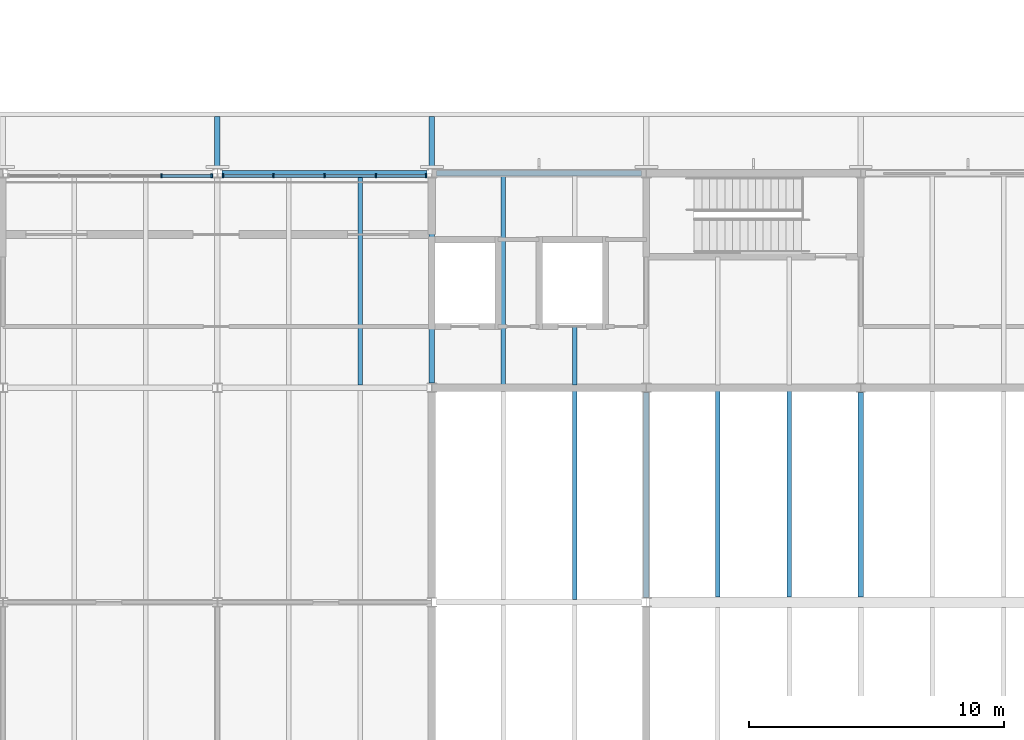
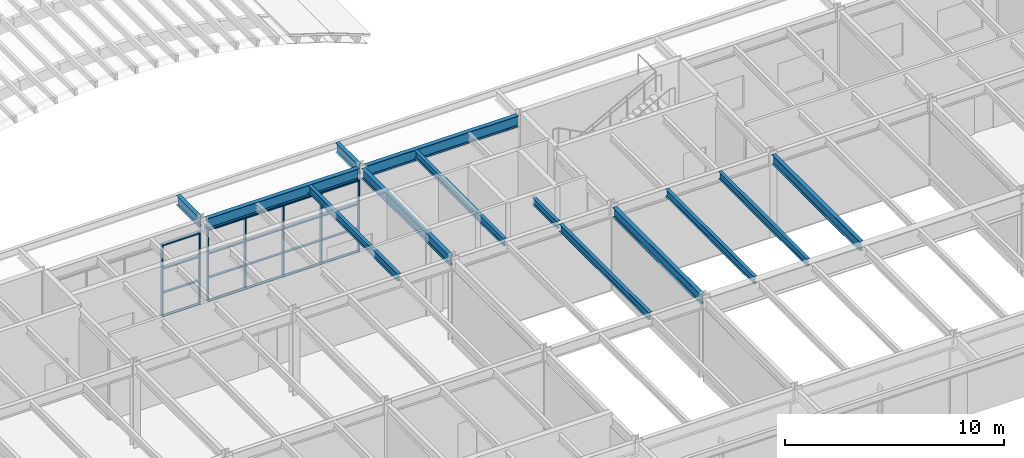
# One storey, part 52 of 116: 27 members, 13 beams, 2 elements without a shape of their own.
"""IFC4 building model written with IfcOpenShell, lengths in metres."""

from ifc_helpers import new_model, si_unit, direction, frame, origin, origin_2d, place, context, subcontext, project, spatial, rectangle, i_section, extrude, material, material_profile, profile_set, type_object, element, aggregate, save


model = new_model("IFC4")

# Units and contexts
model_context = context("Model", 3, precision=1e-05, world=origin(), true_north=direction((0.0, 1.0)))
body_context = subcontext(model_context, "Body", "Model", "MODEL_VIEW")
ifc_project = project(units=[si_unit("LENGTHUNIT", "METRE"), si_unit("AREAUNIT", "SQUARE_METRE"), si_unit("VOLUMEUNIT", "CUBIC_METRE"), si_unit("PLANEANGLEUNIT", "RADIAN"), si_unit("MASSUNIT", "GRAM", prefix="KILO")], contexts=[model_context])

# Site, building, storey
site_placement = place(None, origin())
site = spatial("IfcSite", under=ifc_project, at=site_placement, CompositionType="ELEMENT")
building_placement = place(site_placement, origin())
building = spatial("IfcBuilding", under=site, at=building_placement, Name="Ljudholm Concert House", CompositionType="ELEMENT")
storey_placement = place(building_placement, frame((0.0, 0.0, 10.199951171875)))
storey = spatial("IfcBuildingStorey", under=building, at=storey_placement, Name="L02", CompositionType="ELEMENT", Elevation=10.199951171875)

# Curtain wall, members
ifc_material_1 = material(Name="Aluminium curtain wall with fixed aluminium storm louvre blades, timber-grain finish", Category="aluminium")
curtain_wall_type = type_object("IfcCurtainWallType", Name="CURTAIN WALL 2000", PredefinedType="NOTDEFINED", material=ifc_material_1)
curtain_wall_1_placement = place(storey_placement, origin())
curtain_wall_1 = element("IfcCurtainWall", 1, at=curtain_wall_1_placement, inside=storey, type_object=curtain_wall_type, Name="Storm louvre screen", PredefinedType="NOTDEFINED")
ifc_material_2 = material(Name="Aluminium extrusion", Category="aluminium")
ifc_material_profile_1 = material_profile(ifc_material_2, rectangle(XDim=0.159912109375, YDim=0.06005859375, at=origin_2d()), Name="MULLION 60x160")
ifc_profile_set_1 = profile_set([ifc_material_profile_1], Name="Aluminium extrusion")
member_type_1 = type_object("IfcMemberType", Name="MULLION 60x160", PredefinedType="MULLION", material=ifc_profile_set_1)
member_1_placement = place(storey_placement, frame((69.0048828125, 129.89990234375, 0.0), z_axis=(0.0, 0.0, 1.0), x_axis=(0.0, 1.0, 0.0)))
member_1 = element("IfcMember", 2, at=member_1_placement, type_object=member_type_1, Name="Mullion", PredefinedType="MULLION", context=body_context, shape_type="SweptSolid", body=[
    extrude(rectangle(XDim=0.159912109375, YDim=0.06005859375, at=origin_2d()), origin(), (0.0, 0.0, 1.0), 4.0078125),
])
member_2_placement = place(storey_placement, frame((70.97998046875, 129.89990234375, 0.0), z_axis=(0.0, 0.0, 1.0), x_axis=(0.0, 1.0, 0.0)))
member_2 = element("IfcMember", 3, at=member_2_placement, type_object=member_type_1, Name="Mullion", PredefinedType="MULLION", context=body_context, shape_type="SweptSolid", body=[
    extrude(rectangle(XDim=0.159912109375, YDim=0.06005859375, at=origin_2d()), origin(), (0.0, 0.0, 1.0), 4.0078125),
])

curtain_wall_2_placement = place(storey_placement, origin())
curtain_wall_2 = element("IfcCurtainWall", 4, at=curtain_wall_2_placement, inside=storey, type_object=curtain_wall_type, Name="Storm louvre screen", PredefinedType="NOTDEFINED")
member_3_placement = place(storey_placement, frame((71.419921875, 129.89990234375, 0.0), z_axis=(0.0, 0.0, 1.0), x_axis=(0.0, 1.0, 0.0)))
member_3 = element("IfcMember", 5, at=member_3_placement, type_object=member_type_1, Name="Mullion", PredefinedType="MULLION", context=body_context, shape_type="SweptSolid", body=[
    extrude(rectangle(XDim=0.159912109375, YDim=0.06005859375, at=origin_2d()), origin(), (0.0, 0.0, 1.0), 4.0078125),
])
member_4_placement = place(storey_placement, frame((73.39501953125, 129.89990234375, 0.0), z_axis=(0.0, 0.0, 1.0), x_axis=(0.0, 1.0, 0.0)))
member_4 = element("IfcMember", 6, at=member_4_placement, type_object=member_type_1, Name="Mullion", PredefinedType="MULLION", context=body_context, shape_type="SweptSolid", body=[
    extrude(rectangle(XDim=0.159912109375, YDim=0.06005859375, at=origin_2d()), origin(), (0.0, 0.0, 1.0), 4.0078125),
])
member_5_placement = place(storey_placement, frame((75.39990234375, 129.89990234375, 0.0), z_axis=(0.0, 0.0, 1.0), x_axis=(0.0, 1.0, 0.0)))
member_5 = element("IfcMember", 7, at=member_5_placement, type_object=member_type_1, Name="Mullion", PredefinedType="MULLION", context=body_context, shape_type="SweptSolid", body=[
    extrude(rectangle(XDim=0.159912109375, YDim=0.06005859375, at=origin_2d()), origin(), (0.0, 0.0, 1.0), 4.0078125),
])
member_6_placement = place(storey_placement, frame((77.405029296875, 129.89990234375, 0.0), z_axis=(0.0, 0.0, 1.0), x_axis=(0.0, 1.0, 0.0)))
member_6 = element("IfcMember", 8, at=member_6_placement, type_object=member_type_1, Name="Mullion", PredefinedType="MULLION", context=body_context, shape_type="SweptSolid", body=[
    extrude(rectangle(XDim=0.159912109375, YDim=0.06005859375, at=origin_2d()), origin(), (0.0, 0.0, 1.0), 4.0078125),
])
member_7_placement = place(storey_placement, frame((79.3798828125, 129.89990234375, 0.0), z_axis=(0.0, 0.0, 1.0), x_axis=(0.0, 1.0, 0.0)))
member_7 = element("IfcMember", 9, at=member_7_placement, type_object=member_type_1, Name="Mullion", PredefinedType="MULLION", context=body_context, shape_type="SweptSolid", body=[
    extrude(rectangle(XDim=0.159912109375, YDim=0.06005859375, at=origin_2d()), origin(), (0.0, 0.0, 1.0), 4.0078125),
])

# Beams
ifc_material_3 = material(Name="Steel ASTM A992", Category="steel")
ifc_material_profile_2 = material_profile(ifc_material_3, i_section(OverallWidth=0.177734375, OverallDepth=0.406494140625, WebThickness=0.0078125, FlangeThickness=0.012939453125, FilletRadius=0.01025390625, at=origin_2d()), Name="W16X40")
ifc_profile_set_2 = profile_set([ifc_material_profile_2], Name="Steel ASTM A992")
beam_type_1 = type_object("IfcBeamType", Name="STEEL BEAM W16X40", PredefinedType="BEAM", material=ifc_profile_set_2)
for number, where, z_axis, x_axis, name in (
    (10, (76.800048828125, 121.714599609375, 4.416748046875), (0.0, 1.0, 0.0), (-1.0, 0.0, 0.0), "Beam STUDIO-ROOF-sb-76.8-121.6"),
    (11, (85.199951171875, 113.314453125, 4.416748046875), (0.0, 1.0, 0.0), (-1.0, 0.0, 0.0), "Beam STUDIO-ROOF-sb-85.2-113.2"),
    (12, (82.39990234375, 121.714599609375, 4.416748046875), (0.0, 1.0, 0.0), (-1.0, 0.0, 0.0), "Beam STUDIO-ROOF-sb-82.4-121.6"),
):
    element("IfcBeam", number, at=place(storey_placement, frame(where, z_axis=z_axis, x_axis=x_axis)), inside=storey, type_object=beam_type_1, Name=name, PredefinedType="BEAM", context=body_context, shape_type="SweptSolid", body=[
        extrude(i_section(OverallWidth=0.177734375, OverallDepth=0.406494140625, WebThickness=0.0078125, FlangeThickness=0.012939453125, FilletRadius=0.01025390625, at=origin_2d()), origin(), (0.0, 0.0, 1.0), 8.1708984375),
    ])
beam_1_placement = place(storey_placement, frame((85.199951171875, 121.714599609375, 4.416748046875), z_axis=(0.0, 1.0, 0.0), x_axis=(-1.0, 0.0, 0.0)))
element("IfcBeam", 13, at=beam_1_placement, inside=storey, type_object=beam_type_1, Name="Beam STUDIO-ROOF-sb-85.2-121.6-1", PredefinedType="BEAM", context=body_context, shape_type="SweptSolid", body=[
    extrude(i_section(OverallWidth=0.177734375, OverallDepth=0.406494140625, WebThickness=0.0078125, FlangeThickness=0.012939453125, FilletRadius=0.01025390625, at=origin_2d()), origin(), (0.0, 0.0, 1.0), 2.285400390625),
])
for number, where, z_axis, x_axis, name in (
    (14, (90.800048828125, 113.40185546875, 4.416748046875), (0.0, 1.0, 0.0), (-1.0, 0.0, 0.0), "Beam STUDIO-ROOF-sb-90.8-113.2"),
    (15, (93.60009765625, 113.40185546875, 4.416748046875), (0.0, 1.0, 0.0), (-1.0, 0.0, 0.0), "Beam STUDIO-ROOF-sb-93.6-113.2"),
):
    element("IfcBeam", number, at=place(storey_placement, frame(where, z_axis=z_axis, x_axis=x_axis)), inside=storey, type_object=beam_type_1, Name=name, PredefinedType="BEAM", context=body_context, shape_type="SweptSolid", body=[
        extrude(i_section(OverallWidth=0.177734375, OverallDepth=0.406494140625, WebThickness=0.0078125, FlangeThickness=0.012939453125, FilletRadius=0.01025390625, at=origin_2d()), origin(), (0.0, 0.0, 1.0), 8.08349609375),
    ])
ifc_material_4 = material(Name="Steel ASTM A992", Category="steel")
ifc_material_profile_3 = material_profile(ifc_material_4, i_section(OverallWidth=0.209228515625, OverallDepth=0.533447265625, WebThickness=0.01025390625, FlangeThickness=0.015625, FilletRadius=0.012939453125, at=origin_2d()), Name="W21X62")
ifc_profile_set_3 = profile_set([ifc_material_profile_3], Name="Steel ASTM A992")
beam_type_2 = type_object("IfcBeamType", Name="STEEL BEAM W21X62", PredefinedType="BEAM", material=ifc_profile_set_3)
for number, where, z_axis, x_axis, name in (
    (16, (79.60009765625, 121.77783203125, 4.353271484375), (0.0, 1.0, 0.0), (-1.0, 0.0, 0.0), "Beam STUDIO-ROOF-gy-79.6-121.6"),
    (17, (88.0, 113.377685546875, 4.353271484375), (0.0, 1.0, 0.0), (-1.0, 0.0, 0.0), "Beam STUDIO-ROOF-gy-88-113.2"),
):
    element("IfcBeam", number, at=place(storey_placement, frame(where, z_axis=z_axis, x_axis=x_axis)), inside=storey, type_object=beam_type_2, Name=name, PredefinedType="BEAM", context=body_context, shape_type="SweptSolid", body=[
        extrude(i_section(OverallWidth=0.209228515625, OverallDepth=0.533447265625, WebThickness=0.01025390625, FlangeThickness=0.015625, FilletRadius=0.012939453125, at=origin_2d()), origin(), (0.0, 0.0, 1.0), 8.04443359375),
    ])
beam_2_placement = place(storey_placement, frame((96.39990234375, 113.40185546875, 4.353271484375), z_axis=(0.0, 1.0, 0.0), x_axis=(-1.0, 0.0, 0.0)))
element("IfcBeam", 18, at=beam_2_placement, inside=storey, type_object=beam_type_2, Name="Beam STUDIO-ROOF-gy-96.4-113.2", PredefinedType="BEAM", context=body_context, shape_type="SweptSolid", body=[
    extrude(i_section(OverallWidth=0.209228515625, OverallDepth=0.533447265625, WebThickness=0.01025390625, FlangeThickness=0.015625, FilletRadius=0.012939453125, at=origin_2d()), origin(), (0.0, 0.0, 1.0), 8.020263671875),
])
for number, where, z_axis, x_axis, name in (
    (19, (71.199951171875, 130.177734375, 4.353271484375), (0.0, 1.0, 0.0), (-1.0, 0.0, 0.0), "Beam STUDIO-ROOF-eave-gN-71.2"),
    (20, (79.60009765625, 130.177734375, 4.353271484375), (0.0, 1.0, 0.0), (-1.0, 0.0, 0.0), "Beam STUDIO-ROOF-eave-gN-79.6"),
):
    element("IfcBeam", number, at=place(storey_placement, frame(where, z_axis=z_axis, x_axis=x_axis)), inside=storey, type_object=beam_type_2, Name=name, PredefinedType="BEAM", context=body_context, shape_type="SweptSolid", body=[
        extrude(i_section(OverallWidth=0.209228515625, OverallDepth=0.533447265625, WebThickness=0.01025390625, FlangeThickness=0.015625, FilletRadius=0.012939453125, at=origin_2d()), origin(), (0.0, 0.0, 1.0), 2.04443359375),
    ])
ifc_material_5 = material(Name="Steel ASTM A992", Category="steel")
ifc_material_profile_4 = material_profile(ifc_material_5, i_section(OverallWidth=0.22900390625, OverallDepth=0.612060546875, WebThickness=0.011962890625, FlangeThickness=0.01953125, FilletRadius=0.0126953125, at=origin_2d()), Name="W24X84")
ifc_profile_set_4 = profile_set([ifc_material_profile_4], Name="Steel ASTM A992")
beam_type_3 = type_object("IfcBeamType", Name="STEEL BEAM W24X84", PredefinedType="BEAM", material=ifc_profile_set_4)
for number, where, z_axis, x_axis, name in (
    (21, (71.384033203125, 130.0, 4.31396484375), (1.0, 0.0, 0.0), (0.0, 1.0, 0.0), "Beam STUDIO-ROOF-gx-71.2-130"),
    (22, (79.7841796875, 130.0, 4.31396484375), (1.0, 0.0, 0.0), (0.0, 1.0, 0.0), "Beam STUDIO-ROOF-gx-79.6-130"),
):
    element("IfcBeam", number, at=place(storey_placement, frame(where, z_axis=z_axis, x_axis=x_axis)), inside=storey, type_object=beam_type_3, Name=name, PredefinedType="BEAM", context=body_context, shape_type="SweptSolid", body=[
        extrude(i_section(OverallWidth=0.22900390625, OverallDepth=0.612060546875, WebThickness=0.011962890625, FlangeThickness=0.01953125, FilletRadius=0.0126953125, at=origin_2d()), origin(), (0.0, 0.0, 1.0), 8.03173828125),
    ])

# Member
ifc_material_6 = material(Name="Aluminium extrusion", Category="aluminium")
ifc_material_profile_5 = material_profile(ifc_material_6, rectangle(XDim=0.1201171875, YDim=0.06005859375, at=origin_2d()), Name="TRANSOM 60x120")
ifc_profile_set_5 = profile_set([ifc_material_profile_5], Name="Aluminium extrusion")
member_type_2 = type_object("IfcMemberType", Name="TRANSOM 60x120", PredefinedType="USERDEFINED", material=ifc_profile_set_5)
member_8_placement = place(storey_placement, frame((69.034912109375, 129.89990234375, 0.030029296875), z_axis=(1.0, 0.0, 0.0), x_axis=(0.0, 1.0, 0.0)))
member_8 = element("IfcMember", 23, at=member_8_placement, type_object=member_type_2, Name="Transom", ObjectType="TRANSOM", PredefinedType="USERDEFINED", context=body_context, shape_type="SweptSolid", body=[
    extrude(rectangle(XDim=0.1201171875, YDim=0.06005859375, at=origin_2d()), origin(), (0.0, 0.0, 1.0), 1.9150390625),
])

member_9_placement = place(storey_placement, frame((69.034912109375, 129.89990234375, 1.3359375), z_axis=(1.0, 0.0, 0.0), x_axis=(0.0, 1.0, 0.0)))
member_9 = element("IfcMember", 24, at=member_9_placement, type_object=member_type_2, Name="Transom", ObjectType="TRANSOM", PredefinedType="USERDEFINED", context=body_context, shape_type="SweptSolid", body=[
    extrude(rectangle(XDim=0.1201171875, YDim=0.06005859375, at=origin_2d()), origin(), (0.0, 0.0, 1.0), 1.9150390625),
])

member_10_placement = place(storey_placement, frame((69.034912109375, 129.89990234375, 2.671875), z_axis=(1.0, 0.0, 0.0), x_axis=(0.0, 1.0, 0.0)))
member_10 = element("IfcMember", 25, at=member_10_placement, type_object=member_type_2, Name="Transom", ObjectType="TRANSOM", PredefinedType="USERDEFINED", context=body_context, shape_type="SweptSolid", body=[
    extrude(rectangle(XDim=0.1201171875, YDim=0.06005859375, at=origin_2d()), origin(), (0.0, 0.0, 1.0), 1.9150390625),
])

member_11_placement = place(storey_placement, frame((69.034912109375, 129.89990234375, 3.97802734375), z_axis=(1.0, 0.0, 0.0), x_axis=(0.0, 1.0, 0.0)))
member_11 = element("IfcMember", 26, at=member_11_placement, type_object=member_type_2, Name="Transom", ObjectType="TRANSOM", PredefinedType="USERDEFINED", context=body_context, shape_type="SweptSolid", body=[
    extrude(rectangle(XDim=0.1201171875, YDim=0.06005859375, at=origin_2d()), origin(), (0.0, 0.0, 1.0), 1.9150390625),
])

aggregate(curtain_wall_1, [member_1, member_2, member_8, member_9, member_10, member_11])

member_12_placement = place(storey_placement, frame((71.449951171875, 129.89990234375, 0.030029296875), z_axis=(1.0, 0.0, 0.0), x_axis=(0.0, 1.0, 0.0)))
member_12 = element("IfcMember", 27, at=member_12_placement, type_object=member_type_2, Name="Transom", ObjectType="TRANSOM", PredefinedType="USERDEFINED", context=body_context, shape_type="SweptSolid", body=[
    extrude(rectangle(XDim=0.1201171875, YDim=0.06005859375, at=origin_2d()), origin(), (0.0, 0.0, 1.0), 1.9150390625),
])

member_13_placement = place(storey_placement, frame((71.449951171875, 129.89990234375, 1.3359375), z_axis=(1.0, 0.0, 0.0), x_axis=(0.0, 1.0, 0.0)))
member_13 = element("IfcMember", 28, at=member_13_placement, type_object=member_type_2, Name="Transom", ObjectType="TRANSOM", PredefinedType="USERDEFINED", context=body_context, shape_type="SweptSolid", body=[
    extrude(rectangle(XDim=0.1201171875, YDim=0.06005859375, at=origin_2d()), origin(), (0.0, 0.0, 1.0), 1.9150390625),
])

member_14_placement = place(storey_placement, frame((71.449951171875, 129.89990234375, 2.671875), z_axis=(1.0, 0.0, 0.0), x_axis=(0.0, 1.0, 0.0)))
member_14 = element("IfcMember", 29, at=member_14_placement, type_object=member_type_2, Name="Transom", ObjectType="TRANSOM", PredefinedType="USERDEFINED", context=body_context, shape_type="SweptSolid", body=[
    extrude(rectangle(XDim=0.1201171875, YDim=0.06005859375, at=origin_2d()), origin(), (0.0, 0.0, 1.0), 1.9150390625),
])

member_15_placement = place(storey_placement, frame((71.449951171875, 129.89990234375, 3.97802734375), z_axis=(1.0, 0.0, 0.0), x_axis=(0.0, 1.0, 0.0)))
member_15 = element("IfcMember", 30, at=member_15_placement, type_object=member_type_2, Name="Transom", ObjectType="TRANSOM", PredefinedType="USERDEFINED", context=body_context, shape_type="SweptSolid", body=[
    extrude(rectangle(XDim=0.1201171875, YDim=0.06005859375, at=origin_2d()), origin(), (0.0, 0.0, 1.0), 1.9150390625),
])

member_16_placement = place(storey_placement, frame((73.425048828125, 129.89990234375, 0.030029296875), z_axis=(1.0, 0.0, 0.0), x_axis=(0.0, 1.0, 0.0)))
member_16 = element("IfcMember", 31, at=member_16_placement, type_object=member_type_2, Name="Transom", ObjectType="TRANSOM", PredefinedType="USERDEFINED", context=body_context, shape_type="SweptSolid", body=[
    extrude(rectangle(XDim=0.1201171875, YDim=0.06005859375, at=origin_2d()), origin(), (0.0, 0.0, 1.0), 1.945068359375),
])

member_17_placement = place(storey_placement, frame((73.425048828125, 129.89990234375, 1.3359375), z_axis=(1.0, 0.0, 0.0), x_axis=(0.0, 1.0, 0.0)))
member_17 = element("IfcMember", 32, at=member_17_placement, type_object=member_type_2, Name="Transom", ObjectType="TRANSOM", PredefinedType="USERDEFINED", context=body_context, shape_type="SweptSolid", body=[
    extrude(rectangle(XDim=0.1201171875, YDim=0.06005859375, at=origin_2d()), origin(), (0.0, 0.0, 1.0), 1.945068359375),
])

member_18_placement = place(storey_placement, frame((73.425048828125, 129.89990234375, 2.671875), z_axis=(1.0, 0.0, 0.0), x_axis=(0.0, 1.0, 0.0)))
member_18 = element("IfcMember", 33, at=member_18_placement, type_object=member_type_2, Name="Transom", ObjectType="TRANSOM", PredefinedType="USERDEFINED", context=body_context, shape_type="SweptSolid", body=[
    extrude(rectangle(XDim=0.1201171875, YDim=0.06005859375, at=origin_2d()), origin(), (0.0, 0.0, 1.0), 1.945068359375),
])

member_19_placement = place(storey_placement, frame((73.425048828125, 129.89990234375, 3.97802734375), z_axis=(1.0, 0.0, 0.0), x_axis=(0.0, 1.0, 0.0)))
member_19 = element("IfcMember", 34, at=member_19_placement, type_object=member_type_2, Name="Transom", ObjectType="TRANSOM", PredefinedType="USERDEFINED", context=body_context, shape_type="SweptSolid", body=[
    extrude(rectangle(XDim=0.1201171875, YDim=0.06005859375, at=origin_2d()), origin(), (0.0, 0.0, 1.0), 1.945068359375),
])

member_20_placement = place(storey_placement, frame((75.429931640625, 129.89990234375, 0.030029296875), z_axis=(1.0, 0.0, 0.0), x_axis=(0.0, 1.0, 0.0)))
member_20 = element("IfcMember", 35, at=member_20_placement, type_object=member_type_2, Name="Transom", ObjectType="TRANSOM", PredefinedType="USERDEFINED", context=body_context, shape_type="SweptSolid", body=[
    extrude(rectangle(XDim=0.1201171875, YDim=0.06005859375, at=origin_2d()), origin(), (0.0, 0.0, 1.0), 1.945068359375),
])

member_21_placement = place(storey_placement, frame((75.429931640625, 129.89990234375, 1.3359375), z_axis=(1.0, 0.0, 0.0), x_axis=(0.0, 1.0, 0.0)))
member_21 = element("IfcMember", 36, at=member_21_placement, type_object=member_type_2, Name="Transom", ObjectType="TRANSOM", PredefinedType="USERDEFINED", context=body_context, shape_type="SweptSolid", body=[
    extrude(rectangle(XDim=0.1201171875, YDim=0.06005859375, at=origin_2d()), origin(), (0.0, 0.0, 1.0), 1.945068359375),
])

member_22_placement = place(storey_placement, frame((75.429931640625, 129.89990234375, 2.671875), z_axis=(1.0, 0.0, 0.0), x_axis=(0.0, 1.0, 0.0)))
member_22 = element("IfcMember", 37, at=member_22_placement, type_object=member_type_2, Name="Transom", ObjectType="TRANSOM", PredefinedType="USERDEFINED", context=body_context, shape_type="SweptSolid", body=[
    extrude(rectangle(XDim=0.1201171875, YDim=0.06005859375, at=origin_2d()), origin(), (0.0, 0.0, 1.0), 1.945068359375),
])

member_23_placement = place(storey_placement, frame((75.429931640625, 129.89990234375, 3.97802734375), z_axis=(1.0, 0.0, 0.0), x_axis=(0.0, 1.0, 0.0)))
member_23 = element("IfcMember", 38, at=member_23_placement, type_object=member_type_2, Name="Transom", ObjectType="TRANSOM", PredefinedType="USERDEFINED", context=body_context, shape_type="SweptSolid", body=[
    extrude(rectangle(XDim=0.1201171875, YDim=0.06005859375, at=origin_2d()), origin(), (0.0, 0.0, 1.0), 1.945068359375),
])

member_24_placement = place(storey_placement, frame((77.43505859375, 129.89990234375, 0.030029296875), z_axis=(1.0, 0.0, 0.0), x_axis=(0.0, 1.0, 0.0)))
member_24 = element("IfcMember", 39, at=member_24_placement, type_object=member_type_2, Name="Transom", ObjectType="TRANSOM", PredefinedType="USERDEFINED", context=body_context, shape_type="SweptSolid", body=[
    extrude(rectangle(XDim=0.1201171875, YDim=0.06005859375, at=origin_2d()), origin(), (0.0, 0.0, 1.0), 1.9150390625),
])

member_25_placement = place(storey_placement, frame((77.43505859375, 129.89990234375, 1.3359375), z_axis=(1.0, 0.0, 0.0), x_axis=(0.0, 1.0, 0.0)))
member_25 = element("IfcMember", 40, at=member_25_placement, type_object=member_type_2, Name="Transom", ObjectType="TRANSOM", PredefinedType="USERDEFINED", context=body_context, shape_type="SweptSolid", body=[
    extrude(rectangle(XDim=0.1201171875, YDim=0.06005859375, at=origin_2d()), origin(), (0.0, 0.0, 1.0), 1.9150390625),
])

member_26_placement = place(storey_placement, frame((77.43505859375, 129.89990234375, 2.671875), z_axis=(1.0, 0.0, 0.0), x_axis=(0.0, 1.0, 0.0)))
member_26 = element("IfcMember", 41, at=member_26_placement, type_object=member_type_2, Name="Transom", ObjectType="TRANSOM", PredefinedType="USERDEFINED", context=body_context, shape_type="SweptSolid", body=[
    extrude(rectangle(XDim=0.1201171875, YDim=0.06005859375, at=origin_2d()), origin(), (0.0, 0.0, 1.0), 1.9150390625),
])

member_27_placement = place(storey_placement, frame((77.43505859375, 129.89990234375, 3.97802734375), z_axis=(1.0, 0.0, 0.0), x_axis=(0.0, 1.0, 0.0)))
member_27 = element("IfcMember", 42, at=member_27_placement, type_object=member_type_2, Name="Transom", ObjectType="TRANSOM", PredefinedType="USERDEFINED", context=body_context, shape_type="SweptSolid", body=[
    extrude(rectangle(XDim=0.1201171875, YDim=0.06005859375, at=origin_2d()), origin(), (0.0, 0.0, 1.0), 1.9150390625),
])

aggregate(curtain_wall_2, [member_3, member_4, member_5, member_6, member_7, member_12, member_13, member_14, member_15, member_16, member_17, member_18, member_19, member_20, member_21, member_22, member_23, member_24, member_25, member_26, member_27])

save(model, "model.ifc")
